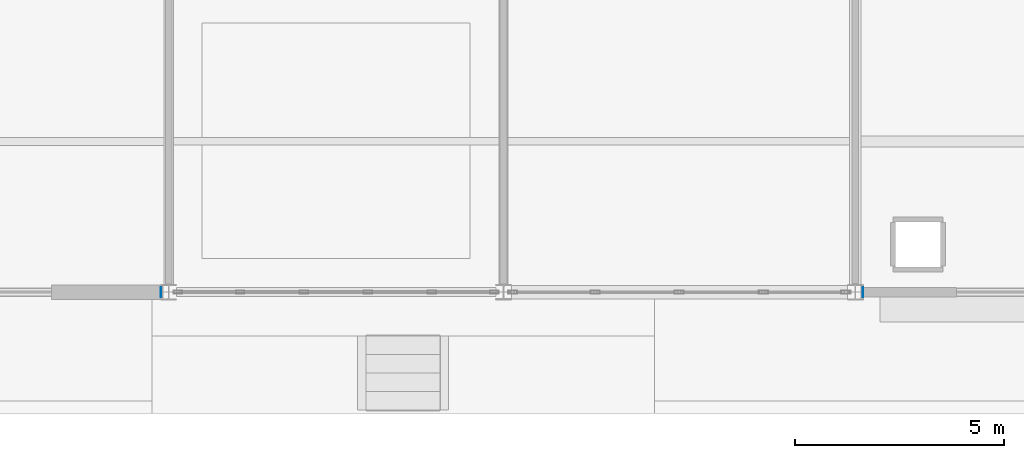
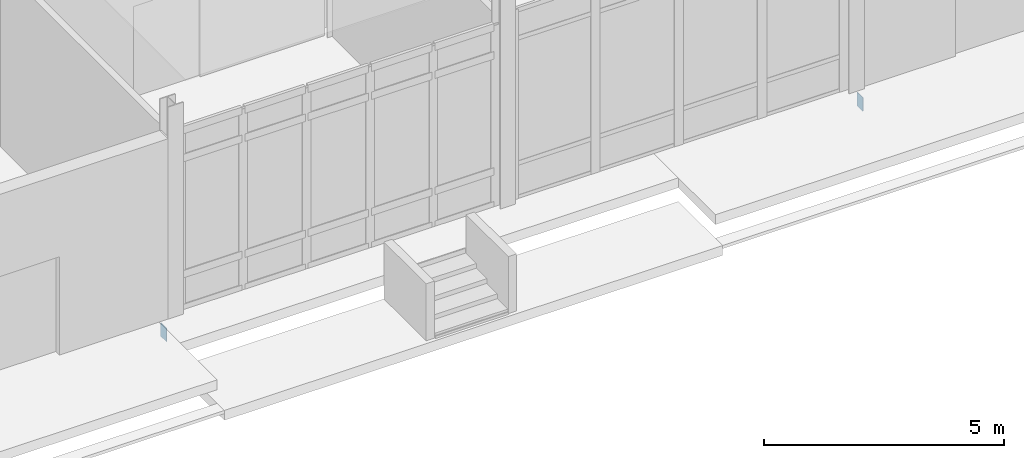
# One storey, part 166 of 229: 2 plates.
"""IFC4 building model written with IfcOpenShell, lengths in metres."""

from ifc_helpers import new_model, si_unit, direction, frame, origin, origin_2d, place, context, subcontext, project, spatial, rectangle, extrude, material, layer, layer_set, type_object, element, save


model = new_model("IFC4")

# Units and contexts
model_context = context("Model", 3, precision=1e-05, world=origin(), true_north=direction((0.0, 1.0)))
body_context = subcontext(model_context, "Body", "Model", "MODEL_VIEW")
ifc_project = project(units=[si_unit("LENGTHUNIT", "METRE"), si_unit("AREAUNIT", "SQUARE_METRE"), si_unit("VOLUMEUNIT", "CUBIC_METRE"), si_unit("PLANEANGLEUNIT", "RADIAN"), si_unit("MASSUNIT", "GRAM", prefix="KILO")], contexts=[model_context])

# Site, building, storey
site_placement = place(None, origin())
site = spatial("IfcSite", under=ifc_project, at=site_placement, CompositionType="ELEMENT")
building_placement = place(site_placement, origin())
building = spatial("IfcBuilding", under=site, at=building_placement, Name="Calvrana Isthmian Art Gallery", CompositionType="ELEMENT")
storey_placement = place(building_placement, origin())
storey = spatial("IfcBuildingStorey", under=building, at=storey_placement, Name="L00", CompositionType="ELEMENT", Elevation=0.0)

# Plates
ifc_material = material(Name="Steel ASTM A572 Gr 50", Category="steel")
ifc_layer = layer(ifc_material, 0.01611328125, Name="Steel ASTM A572 Gr 50")
ifc_layer_set = layer_set([ifc_layer], Name="Steel ASTM A572 Gr 50")
plate_type = type_object("IfcPlateType", Name="PL-CAP-16", PredefinedType="SHEET", material=ifc_layer_set)
for number, where, z_axis, x_axis, name in (
    (1, (96.216064453125, 0.0, -0.60986328125), (0.0, 0.0, 1.0), (1.0, 0.0, 0.0), "Hollow section end cap plate 372"),
    (2, (112.986572265625, 0.0, -0.60986328125), (0.0, 0.0, 1.0), (1.0, 0.0, 0.0), "Hollow section end cap plate 373"),
):
    element("IfcPlate", number, at=place(storey_placement, frame(where, z_axis=z_axis, x_axis=x_axis)), inside=storey, type_object=plate_type, Name=name, PredefinedType="SHEET", context=body_context, shape_type="SweptSolid", body=[
        extrude(rectangle(XDim=0.01611328125, YDim=0.2431640625, at=origin_2d()), origin(), (0.0, 0.0, 1.0), 0.3447265625),
    ])

save(model, "model.ifc")
